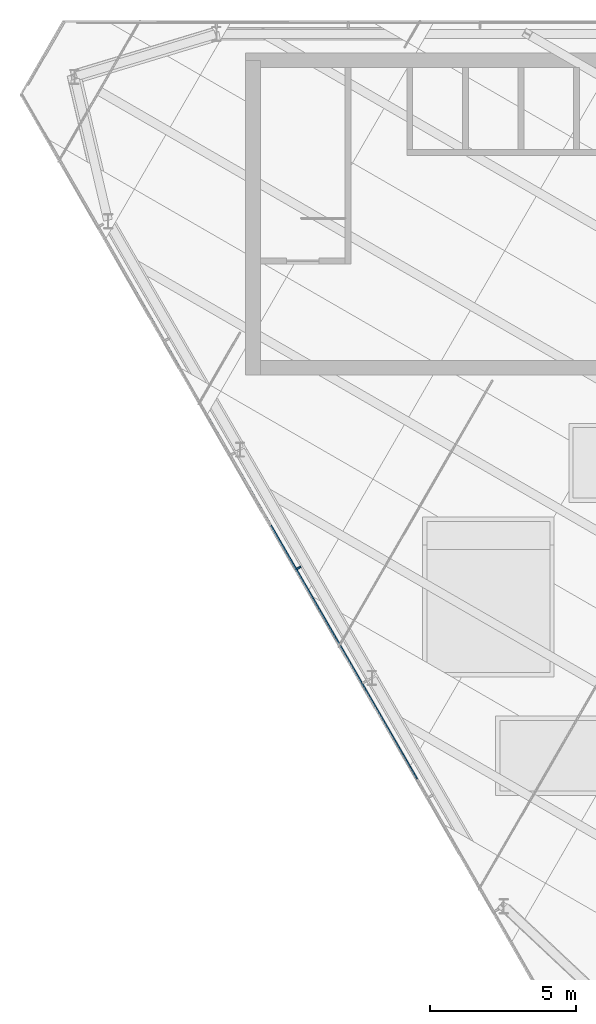
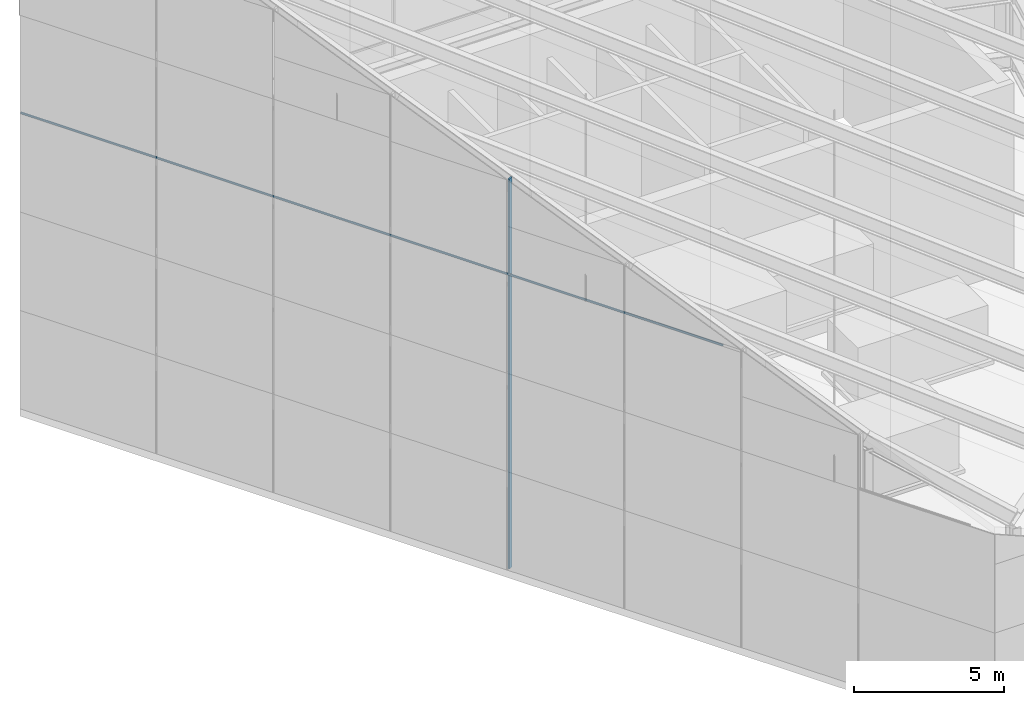
# One storey, part 2 of 16: 2 members, 1 element without a shape of its own.
"""IFC4 building model written with IfcOpenShell, lengths in metres."""

from ifc_helpers import new_model, si_unit, direction, frame, origin, origin_2d, place, context, subcontext, project, spatial, rectangle, extrude, material, layer, layer_set, material_profile, profile_set, type_object, element, aggregate, save


model = new_model("IFC4")

# Units and contexts
model_context = context("Model", 3, precision=1e-05, world=origin(), true_north=direction((0.0, 1.0)))
body_context = subcontext(model_context, "Body", "Model", "MODEL_VIEW")
ifc_project = project(units=[si_unit("LENGTHUNIT", "METRE"), si_unit("AREAUNIT", "SQUARE_METRE"), si_unit("VOLUMEUNIT", "CUBIC_METRE"), si_unit("PLANEANGLEUNIT", "RADIAN"), si_unit("MASSUNIT", "GRAM", prefix="KILO")], contexts=[model_context])

# Site, building, storey
site_placement = place(None, origin())
site = spatial("IfcSite", under=ifc_project, at=site_placement, CompositionType="ELEMENT")
building_placement = place(site_placement, origin())
building = spatial("IfcBuilding", under=site, at=building_placement, Name="Altiplano Prism Tower", CompositionType="ELEMENT")
storey_placement = place(building_placement, frame((0.0, 0.0, 358.0)))
storey = spatial("IfcBuildingStorey", under=building, at=storey_placement, Name="Crown", CompositionType="ELEMENT", Elevation=358.0)

# Curtain wall, members
ifc_material_1 = material(Name="Aluminium and glass", Category="aluminium")
ifc_layer = layer(ifc_material_1, 0.25)
ifc_layer_set = layer_set([ifc_layer], Name="Aluminium and glass")
curtain_wall_type = type_object("IfcCurtainWallType", Name="CW5 crown glazing", PredefinedType="NOTDEFINED", material=ifc_layer_set)
curtain_wall_placement = place(storey_placement, origin())
curtain_wall = element("IfcCurtainWall", 1, at=curtain_wall_placement, inside=storey, type_object=curtain_wall_type, Name="CW5 crown glazing face 2", PredefinedType="NOTDEFINED")
ifc_material_2 = material(Name="Aluminium", Category="aluminium")
ifc_material_profile_1 = material_profile(ifc_material_2, rectangle(XDim=0.159912109375, YDim=0.06005859375, at=origin_2d()), Name="CW5 mullion 60 x 160")
ifc_profile_set_1 = profile_set([ifc_material_profile_1], Name="Aluminium")
member_type_1 = type_object("IfcMemberType", Name="CW5 mullion 60 x 160", PredefinedType="MULLION", material=ifc_profile_set_1)
member_1_placement = place(storey_placement, frame((74.315185546875, 86.323486328125, 0.0), z_axis=(0.0, 0.0, 1.0), x_axis=(0.866025407336, 0.499999993848, 0.0)))
member_1 = element("IfcMember", 2, at=member_1_placement, type_object=member_type_1, Name="CW5 mullion", PredefinedType="MULLION", context=body_context, shape_type="SweptSolid", body=[
    extrude(rectangle(XDim=0.159912109375, YDim=0.06005859375, at=origin_2d()), origin(), (0.0, 0.0, 1.0), 15.851318359375),
])
ifc_material_profile_2 = material_profile(ifc_material_2, rectangle(XDim=0.050048828125, YDim=0.06005859375, at=origin_2d()), Name="CW5 transom 60 x 50")
ifc_profile_set_2 = profile_set([ifc_material_profile_2], Name="Aluminium")
member_type_2 = type_object("IfcMemberType", Name="CW5 transom 60 x 50", PredefinedType="USERDEFINED", material=ifc_profile_set_2)
member_2_placement = place(storey_placement, frame((64.85400390625, 102.5009765625, 12.0), z_axis=(0.5000018851, -0.866024315419, 0.0), x_axis=(0.866024315419, 0.5000018851, 0.0)))
member_2 = element("IfcMember", 3, at=member_2_placement, type_object=member_type_2, Name="CW5 transom", ObjectType="TRANSOM", PredefinedType="USERDEFINED", context=body_context, shape_type="SweptSolid", body=[
    extrude(rectangle(XDim=0.050048828125, YDim=0.06005859375, at=origin_2d()), origin(), (0.0, 0.0, 1.0), 27.0),
])
aggregate(curtain_wall, [member_1, member_2])

save(model, "model.ifc")
